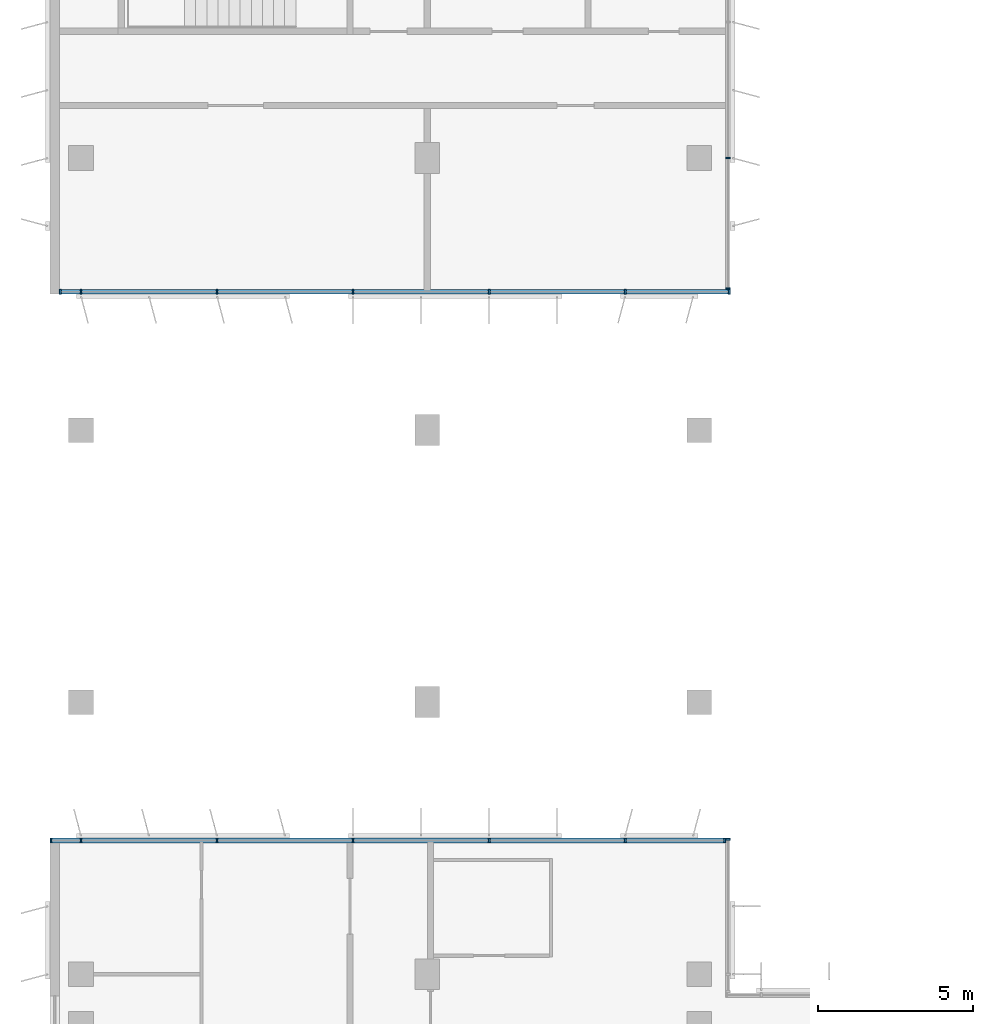
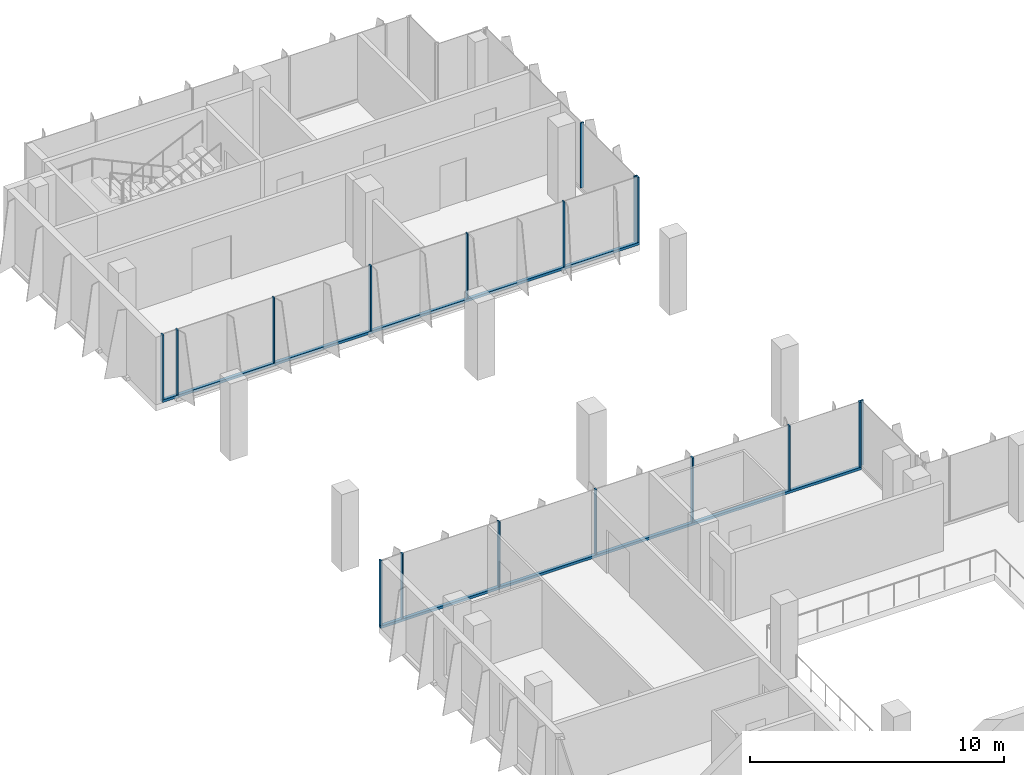
# One storey, part 4 of 13: 19 members, 4 elements without a shape of their own.
"""IFC4 building model written with IfcOpenShell, lengths in metres."""

from ifc_helpers import new_model, si_unit, direction, frame, origin, origin_2d, place, context, subcontext, project, spatial, rectangle, extrude, source, transform, mapped, material, material_profile, profile_set, type_object, element, aggregate, save


model = new_model("IFC4")

# Units and contexts
model_context = context("Model", 3, precision=1e-05, world=origin(), true_north=direction((0.0, 1.0)))
body_context = subcontext(model_context, "Body", "Model", "MODEL_VIEW")
ifc_project = project(units=[si_unit("LENGTHUNIT", "METRE"), si_unit("AREAUNIT", "SQUARE_METRE"), si_unit("VOLUMEUNIT", "CUBIC_METRE"), si_unit("PLANEANGLEUNIT", "RADIAN"), si_unit("MASSUNIT", "GRAM", prefix="KILO")], contexts=[model_context])

# Site, building, storey
site_placement = place(None, origin())
site = spatial("IfcSite", under=ifc_project, at=site_placement, CompositionType="ELEMENT")
building_placement = place(site_placement, origin())
building = spatial("IfcBuilding", under=site, at=building_placement, Name="Kemantara Hotel Tower", CompositionType="ELEMENT")
storey_placement = place(building_placement, frame((0.0, 0.0, 252.39990234375)))
storey = spatial("IfcBuildingStorey", under=building, at=storey_placement, Name="L63", CompositionType="ELEMENT", Elevation=252.39990234375)

# Curtain wall, member
ifc_material_1 = material(Name="Low-E tinted double insulated glass 36 mm", Category="glass")
curtain_wall_type = type_object("IfcCurtainWallType", Name="TOWER CURTAIN WALL, FRONT FACES", PredefinedType="USERDEFINED", material=ifc_material_1)
curtain_wall_1_placement = place(storey_placement, origin())
curtain_wall_1 = element("IfcCurtainWall", 1, at=curtain_wall_1_placement, inside=storey, type_object=curtain_wall_type, Name="CW4 L63 T4P-R01-1", ObjectType="TOWER CURTAIN WALL, FRONT FACES", PredefinedType="USERDEFINED")
ifc_material_2 = material(Name="Aluminium 6063-T6 bronze anodised", Category="aluminium")
ifc_material_profile_1 = material_profile(ifc_material_2, rectangle(XDim=0.14990234375, YDim=0.1201171875, at=origin_2d()), Name="TOWER CURTAIN WALL, FRONT FACES TRANSOM")
ifc_profile_set_1 = profile_set([ifc_material_profile_1], Name="Aluminium 6063-T6 bronze anodised")
member_type_1 = type_object("IfcMemberType", Name="TOWER CURTAIN WALL, FRONT FACES TRANSOM", PredefinedType="USERDEFINED", material=ifc_profile_set_1)
member_1_placement = place(storey_placement, frame((21.85009765625, 31.72509765625, 0.06005859375), z_axis=(-1.0, 0.0, 0.0), x_axis=(0.0, -1.0, 0.0)))
member_1 = element("IfcMember", 2, at=member_1_placement, type_object=member_type_1, Name="CW4 sill transom T4P-R01-1", ObjectType="TRANSOM", PredefinedType="USERDEFINED", context=body_context, shape_type="SweptSolid", body=[
    extrude(rectangle(XDim=0.14990234375, YDim=0.1201171875, at=origin_2d()), origin(), (0.0, 0.0, 1.0), 21.85009765625),
])

curtain_wall_2_placement = place(storey_placement, origin())
curtain_wall_2 = element("IfcCurtainWall", 3, at=curtain_wall_2_placement, inside=storey, type_object=curtain_wall_type, Name="CW4 L63 T4P-R12-1", ObjectType="TOWER CURTAIN WALL, FRONT FACES", PredefinedType="USERDEFINED")
member_2_placement = place(storey_placement, frame((0.300048828125, 49.47509765625, 0.06005859375), z_axis=(1.0, 0.0, 0.0), x_axis=(0.0, 1.0, 0.0)))
member_2 = element("IfcMember", 4, at=member_2_placement, type_object=member_type_1, Name="CW4 sill transom T4P-R12-1", ObjectType="TRANSOM", PredefinedType="USERDEFINED", context=body_context, shape_type="SweptSolid", body=[
    extrude(rectangle(XDim=0.14990234375, YDim=0.1201171875, at=origin_2d()), origin(), (0.0, 0.0, 1.0), 21.699951171875),
])

curtain_wall_3_placement = place(storey_placement, origin())
curtain_wall_3 = element("IfcCurtainWall", 5, at=curtain_wall_3_placement, inside=storey, type_object=curtain_wall_type, Name="CW4 L63 T4P-R00-1", ObjectType="TOWER CURTAIN WALL, FRONT FACES", PredefinedType="USERDEFINED")
ifc_material_profile_2 = material_profile(ifc_material_2, rectangle(XDim=0.14990234375, YDim=0.06005859375, at=origin_2d()), Name="TOWER CURTAIN WALL, FRONT FACES MULLION")
ifc_profile_set_2 = profile_set([ifc_material_profile_2], Name="Aluminium 6063-T6 bronze anodised")
member_type_2 = type_object("IfcMemberType", Name="TOWER CURTAIN WALL, FRONT FACES MULLION", PredefinedType="MULLION", material=ifc_profile_set_2)
shared_shape = source(origin(), body_context, "Body", "SweptSolid", [
    extrude(rectangle(XDim=0.14990234375, YDim=0.06005859375, at=origin_2d()), origin(), (0.0, 0.0, 1.0), 3.1298828125),
])
member_3_placement = place(storey_placement, frame((21.925048828125, 31.77001953125, 0.1201171875), z_axis=(0.0, 0.0, 1.0), x_axis=(-1.0, 0.0, 0.0)))
member_3 = element("IfcMember", 6, at=member_3_placement, type_object=member_type_2, Name="CW4 mullion T4P-R00-1.3", PredefinedType="MULLION", context=body_context, shape_type="MappedRepresentation", body=[
    mapped(shared_shape, transform((0.0, 0.0, 0.0))),
])
aggregate(curtain_wall_3, [member_3])

# Member
member_4_placement = place(storey_placement, frame((21.820068359375, 31.72509765625, 0.1201171875), z_axis=(0.0, 0.0, 1.0), x_axis=(0.0, -1.0, 0.0)))
member_4 = element("IfcMember", 7, at=member_4_placement, type_object=member_type_2, Name="CW4 mullion T4P-R01-1.1", PredefinedType="MULLION", context=body_context, shape_type="MappedRepresentation", body=[
    mapped(shared_shape, transform((0.0, 0.0, 0.0))),
])

member_5_placement = place(storey_placement, frame((18.60009765625, 31.72509765625, 0.1201171875), z_axis=(0.0, 0.0, 1.0), x_axis=(0.0, -1.0, 0.0)))
member_5 = element("IfcMember", 8, at=member_5_placement, type_object=member_type_2, Name="CW4 mullion T4P-R01-1.2", PredefinedType="MULLION", context=body_context, shape_type="MappedRepresentation", body=[
    mapped(shared_shape, transform((0.0, 0.0, 0.0))),
])

member_6_placement = place(storey_placement, frame((14.199951171875, 31.72509765625, 0.1201171875), z_axis=(0.0, 0.0, 1.0), x_axis=(0.0, -1.0, 0.0)))
member_6 = element("IfcMember", 9, at=member_6_placement, type_object=member_type_2, Name="CW4 mullion T4P-R01-1.3", PredefinedType="MULLION", context=body_context, shape_type="MappedRepresentation", body=[
    mapped(shared_shape, transform((0.0, 0.0, 0.0))),
])

member_7_placement = place(storey_placement, frame((9.800048828125, 31.72509765625, 0.1201171875), z_axis=(0.0, 0.0, 1.0), x_axis=(0.0, -1.0, 0.0)))
member_7 = element("IfcMember", 10, at=member_7_placement, type_object=member_type_2, Name="CW4 mullion T4P-R01-1.4", PredefinedType="MULLION", context=body_context, shape_type="MappedRepresentation", body=[
    mapped(shared_shape, transform((0.0, 0.0, 0.0))),
])

member_8_placement = place(storey_placement, frame((5.39990234375, 31.72509765625, 0.1201171875), z_axis=(0.0, 0.0, 1.0), x_axis=(0.0, -1.0, 0.0)))
member_8 = element("IfcMember", 11, at=member_8_placement, type_object=member_type_2, Name="CW4 mullion T4P-R01-1.5", PredefinedType="MULLION", context=body_context, shape_type="MappedRepresentation", body=[
    mapped(shared_shape, transform((0.0, 0.0, 0.0))),
])

member_9_placement = place(storey_placement, frame((1.0, 31.72509765625, 0.1201171875), z_axis=(0.0, 0.0, 1.0), x_axis=(0.0, -1.0, 0.0)))
member_9 = element("IfcMember", 12, at=member_9_placement, type_object=member_type_2, Name="CW4 mullion T4P-R01-1.6", PredefinedType="MULLION", context=body_context, shape_type="MappedRepresentation", body=[
    mapped(shared_shape, transform((0.0, 0.0, 0.0))),
])

member_10_placement = place(storey_placement, frame((0.030029296875, 31.72509765625, 0.1201171875), z_axis=(0.0, 0.0, 1.0), x_axis=(0.0, -1.0, 0.0)))
member_10 = element("IfcMember", 13, at=member_10_placement, type_object=member_type_2, Name="CW4 mullion T4P-R01-1.7", PredefinedType="MULLION", context=body_context, shape_type="MappedRepresentation", body=[
    mapped(shared_shape, transform((0.0, 0.0, 0.0))),
])

aggregate(curtain_wall_1, [member_1, member_4, member_5, member_6, member_7, member_8, member_9, member_10])

member_11_placement = place(storey_placement, frame((0.330078125, 49.47509765625, 0.1201171875), z_axis=(0.0, 0.0, 1.0), x_axis=(0.0, 1.0, 0.0)))
member_11 = element("IfcMember", 14, at=member_11_placement, type_object=member_type_2, Name="CW4 mullion T4P-R12-1.1", PredefinedType="MULLION", context=body_context, shape_type="MappedRepresentation", body=[
    mapped(shared_shape, transform((0.0, 0.0, 0.0))),
])

member_12_placement = place(storey_placement, frame((1.0, 49.47509765625, 0.1201171875), z_axis=(0.0, 0.0, 1.0), x_axis=(0.0, 1.0, 0.0)))
member_12 = element("IfcMember", 15, at=member_12_placement, type_object=member_type_2, Name="CW4 mullion T4P-R12-1.2", PredefinedType="MULLION", context=body_context, shape_type="MappedRepresentation", body=[
    mapped(shared_shape, transform((0.0, 0.0, 0.0))),
])

member_13_placement = place(storey_placement, frame((5.39990234375, 49.47509765625, 0.1201171875), z_axis=(0.0, 0.0, 1.0), x_axis=(0.0, 1.0, 0.0)))
member_13 = element("IfcMember", 16, at=member_13_placement, type_object=member_type_2, Name="CW4 mullion T4P-R12-1.3", PredefinedType="MULLION", context=body_context, shape_type="MappedRepresentation", body=[
    mapped(shared_shape, transform((0.0, 0.0, 0.0))),
])

member_14_placement = place(storey_placement, frame((9.800048828125, 49.47509765625, 0.1201171875), z_axis=(0.0, 0.0, 1.0), x_axis=(0.0, 1.0, 0.0)))
member_14 = element("IfcMember", 17, at=member_14_placement, type_object=member_type_2, Name="CW4 mullion T4P-R12-1.4", PredefinedType="MULLION", context=body_context, shape_type="MappedRepresentation", body=[
    mapped(shared_shape, transform((0.0, 0.0, 0.0))),
])

member_15_placement = place(storey_placement, frame((14.199951171875, 49.47509765625, 0.1201171875), z_axis=(0.0, 0.0, 1.0), x_axis=(0.0, 1.0, 0.0)))
member_15 = element("IfcMember", 18, at=member_15_placement, type_object=member_type_2, Name="CW4 mullion T4P-R12-1.5", PredefinedType="MULLION", context=body_context, shape_type="MappedRepresentation", body=[
    mapped(shared_shape, transform((0.0, 0.0, 0.0))),
])

member_16_placement = place(storey_placement, frame((18.60009765625, 49.47509765625, 0.1201171875), z_axis=(0.0, 0.0, 1.0), x_axis=(0.0, 1.0, 0.0)))
member_16 = element("IfcMember", 19, at=member_16_placement, type_object=member_type_2, Name="CW4 mullion T4P-R12-1.6", PredefinedType="MULLION", context=body_context, shape_type="MappedRepresentation", body=[
    mapped(shared_shape, transform((0.0, 0.0, 0.0))),
])

member_17_placement = place(storey_placement, frame((21.969970703125, 49.47509765625, 0.1201171875), z_axis=(0.0, 0.0, 1.0), x_axis=(0.0, 1.0, 0.0)))
member_17 = element("IfcMember", 20, at=member_17_placement, type_object=member_type_2, Name="CW4 mullion T4P-R12-1.7", PredefinedType="MULLION", context=body_context, shape_type="MappedRepresentation", body=[
    mapped(shared_shape, transform((0.0, 0.0, 0.0))),
])

aggregate(curtain_wall_2, [member_2, member_11, member_12, member_13, member_14, member_15, member_16, member_17])

# Curtain wall, members
curtain_wall_4_placement = place(storey_placement, origin())
curtain_wall_4 = element("IfcCurtainWall", 21, at=curtain_wall_4_placement, inside=storey, type_object=curtain_wall_type, Name="CW4 L63 T4P-R13-1", ObjectType="TOWER CURTAIN WALL, FRONT FACES", PredefinedType="USERDEFINED")
member_18_placement = place(storey_placement, frame((21.925048828125, 49.580078125, 0.1201171875), z_axis=(0.0, 0.0, 1.0), x_axis=(-1.0, 0.0, 0.0)))
member_18 = element("IfcMember", 22, at=member_18_placement, type_object=member_type_2, Name="CW4 mullion T4P-R13-1.1", PredefinedType="MULLION", context=body_context, shape_type="MappedRepresentation", body=[
    mapped(shared_shape, transform((0.0, 0.0, 0.0))),
])
member_19_placement = place(storey_placement, frame((21.925048828125, 53.800048828125, 0.1201171875), z_axis=(0.0, 0.0, 1.0), x_axis=(-1.0, 0.0, 0.0)))
member_19 = element("IfcMember", 23, at=member_19_placement, type_object=member_type_2, Name="CW4 mullion T4P-R13-1.2", PredefinedType="MULLION", context=body_context, shape_type="MappedRepresentation", body=[
    mapped(shared_shape, transform((0.0, 0.0, 0.0))),
])
aggregate(curtain_wall_4, [member_18, member_19])

save(model, "model.ifc")
